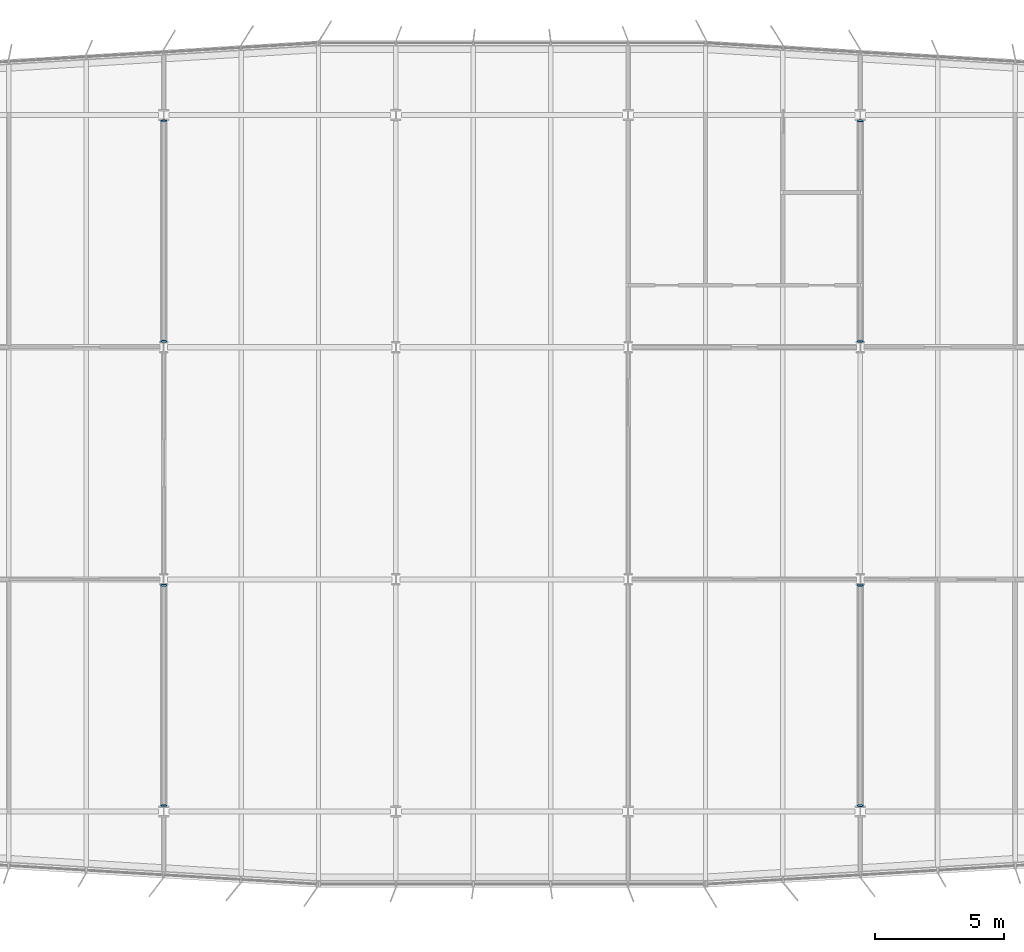
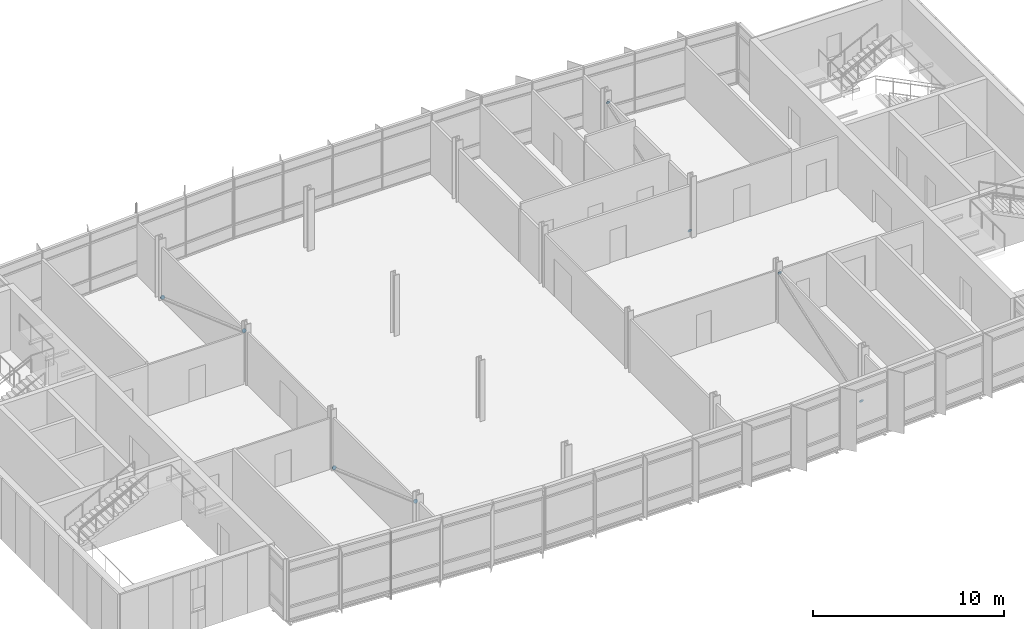
# One storey, part 15 of 18: 8 discrete accessories.
"""IFC4 building model written with IfcOpenShell, lengths in metres."""

from ifc_helpers import new_model, si_unit, direction, frame, origin, origin_2d, place, context, subcontext, project, spatial, circle, extrude, material, material_profile, profile_set, type_object, element, save


model = new_model("IFC4")

# Units and contexts
model_context = context("Model", 3, precision=1e-05, world=origin(), true_north=direction((0.0, 1.0)))
body_context = subcontext(model_context, "Body", "Model", "MODEL_VIEW")
ifc_project = project(units=[si_unit("LENGTHUNIT", "METRE"), si_unit("AREAUNIT", "SQUARE_METRE"), si_unit("VOLUMEUNIT", "CUBIC_METRE"), si_unit("PLANEANGLEUNIT", "RADIAN"), si_unit("MASSUNIT", "GRAM", prefix="KILO")], contexts=[model_context])

# Site, building, storey
site_placement = place(None, origin())
site = spatial("IfcSite", under=ifc_project, at=site_placement, CompositionType="ELEMENT")
building_placement = place(site_placement, origin())
building = spatial("IfcBuilding", under=site, at=building_placement, Name="Azimuth Sports and Learning Centre", CompositionType="ELEMENT")
storey_placement = place(building_placement, frame((0.0, 0.0, 59.699951171875)))
storey = spatial("IfcBuildingStorey", under=building, at=storey_placement, Name="L13", CompositionType="ELEMENT", Elevation=59.699951171875)

# Discrete accessories
ifc_material = material(Name="Steel S355", Category="steel")
ifc_material_profile = material_profile(ifc_material, circle(Radius=0.122314453125, at=origin_2d()), Name="PL 244 DISC")
ifc_profile_set = profile_set([ifc_material_profile], Name="Steel S355")
discrete_accessory_type = type_object("IfcDiscreteAccessoryType", Name="End plate CHS 244.5x12.5", PredefinedType="USERDEFINED", material=ifc_profile_set)
discrete_accessory_1_placement = place(storey_placement, frame((72.0, 98.762939453125, 0.169677734375), z_axis=(0.0, 0.94498607344, -0.327110563883), x_axis=(-1.0, 0.0, 0.0)))
element("IfcDiscreteAccessory", 1, at=discrete_accessory_1_placement, inside=storey, type_object=discrete_accessory_type, Name="End plate Tower brace 9 L13 lower end", ObjectType="END PLATE", PredefinedType="USERDEFINED", context=body_context, shape_type="SweptSolid", body=[
    extrude(circle(Radius=0.122314453125, at=origin_2d()), origin(), (0.0, 0.0, 1.0), 0.020263671875),
])
for number, where, z_axis, x_axis, name in (
    (2, (72.0, 90.238525390625, 3.200439453125), (0.0, -0.943667134088, 0.330896267797), (1.0, 0.0, 0.0), "End plate Tower brace 9 L13 upper end"),
    (3, (72.0, 116.761474609375, 0.169677734375), (0.0, 0.943667134088, -0.330896267797), (-1.0, 0.0, 0.0), "End plate Tower brace 9 L13 lower end"),
):
    element("IfcDiscreteAccessory", number, at=place(storey_placement, frame(where, z_axis=z_axis, x_axis=x_axis)), inside=storey, type_object=discrete_accessory_type, Name=name, ObjectType="END PLATE", PredefinedType="USERDEFINED", context=body_context, shape_type="SweptSolid", body=[
        extrude(circle(Radius=0.122314453125, at=origin_2d()), origin(), (0.0, 0.0, 1.0), 0.02001953125),
    ])
discrete_accessory_2_placement = place(storey_placement, frame((72.0, 108.237060546875, 3.200439453125), z_axis=(0.0, -0.94498607344, 0.327110563883), x_axis=(1.0, 0.0, 0.0)))
element("IfcDiscreteAccessory", 4, at=discrete_accessory_2_placement, inside=storey, type_object=discrete_accessory_type, Name="End plate Tower brace 9 L13 upper end", ObjectType="END PLATE", PredefinedType="USERDEFINED", context=body_context, shape_type="SweptSolid", body=[
    extrude(circle(Radius=0.122314453125, at=origin_2d()), origin(), (0.0, 0.0, 1.0), 0.020263671875),
])
discrete_accessory_3_placement = place(storey_placement, frame((99.0, 90.238525390625, 0.169677734375), z_axis=(0.0, -0.943667134088, -0.330896267797), x_axis=(1.0, 0.0, 0.0)))
element("IfcDiscreteAccessory", 5, at=discrete_accessory_3_placement, inside=storey, type_object=discrete_accessory_type, Name="End plate Tower brace 12 L13 lower end", ObjectType="END PLATE", PredefinedType="USERDEFINED", context=body_context, shape_type="SweptSolid", body=[
    extrude(circle(Radius=0.122314453125, at=origin_2d()), origin(), (0.0, 0.0, 1.0), 0.02001953125),
])
for number, where, z_axis, x_axis, name in (
    (6, (99.0, 98.762939453125, 3.200439453125), (0.0, 0.94498607344, 0.327110563883), (-1.0, 0.0, 0.0), "End plate Tower brace 12 L13 upper end"),
    (7, (99.0, 108.237060546875, 0.169677734375), (0.0, -0.94498607344, -0.327110563883), (1.0, 0.0, 0.0), "End plate Tower brace 12 L13 lower end"),
):
    element("IfcDiscreteAccessory", number, at=place(storey_placement, frame(where, z_axis=z_axis, x_axis=x_axis)), inside=storey, type_object=discrete_accessory_type, Name=name, ObjectType="END PLATE", PredefinedType="USERDEFINED", context=body_context, shape_type="SweptSolid", body=[
        extrude(circle(Radius=0.122314453125, at=origin_2d()), origin(), (0.0, 0.0, 1.0), 0.020263671875),
    ])
discrete_accessory_4_placement = place(storey_placement, frame((99.0, 116.761474609375, 3.200439453125), z_axis=(0.0, 0.943667134088, 0.330896267797), x_axis=(-1.0, 0.0, 0.0)))
element("IfcDiscreteAccessory", 8, at=discrete_accessory_4_placement, inside=storey, type_object=discrete_accessory_type, Name="End plate Tower brace 12 L13 upper end", ObjectType="END PLATE", PredefinedType="USERDEFINED", context=body_context, shape_type="SweptSolid", body=[
    extrude(circle(Radius=0.122314453125, at=origin_2d()), origin(), (0.0, 0.0, 1.0), 0.02001953125),
])

save(model, "model.ifc")
